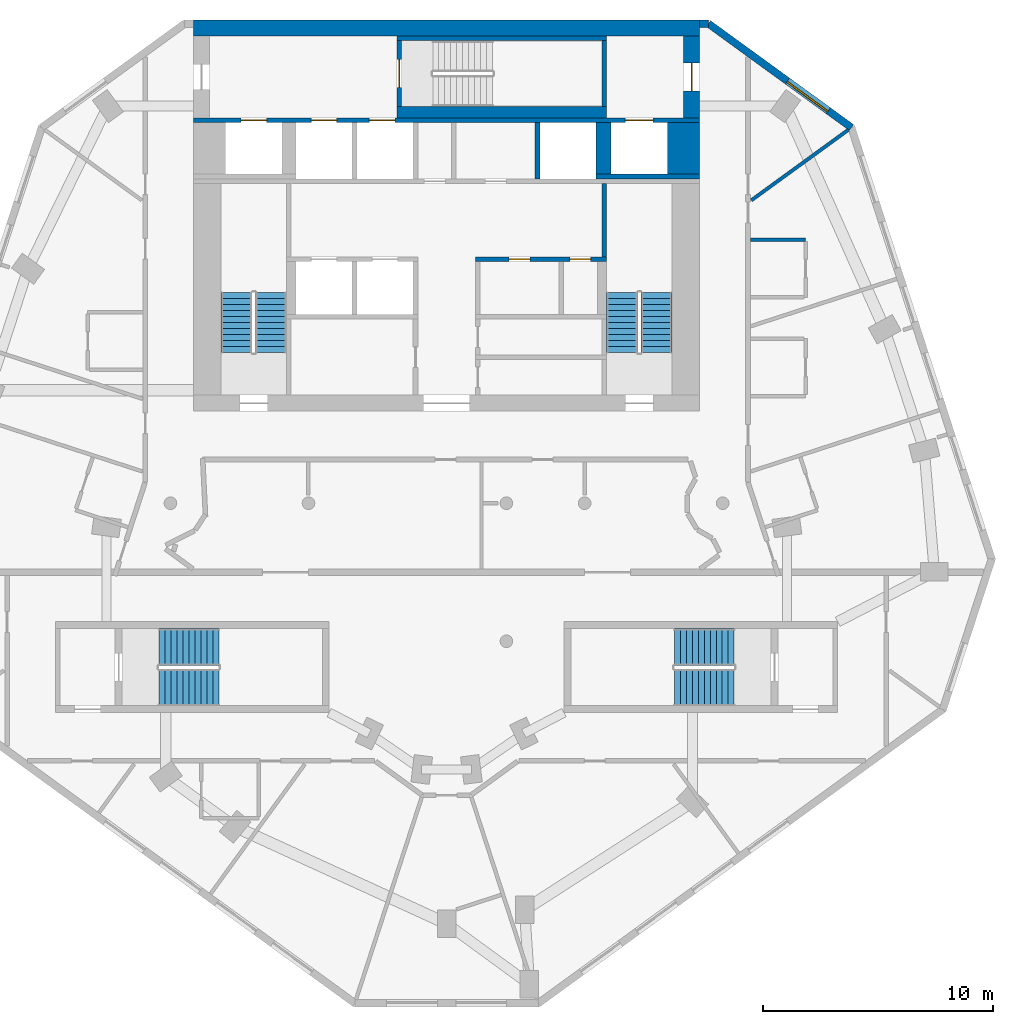
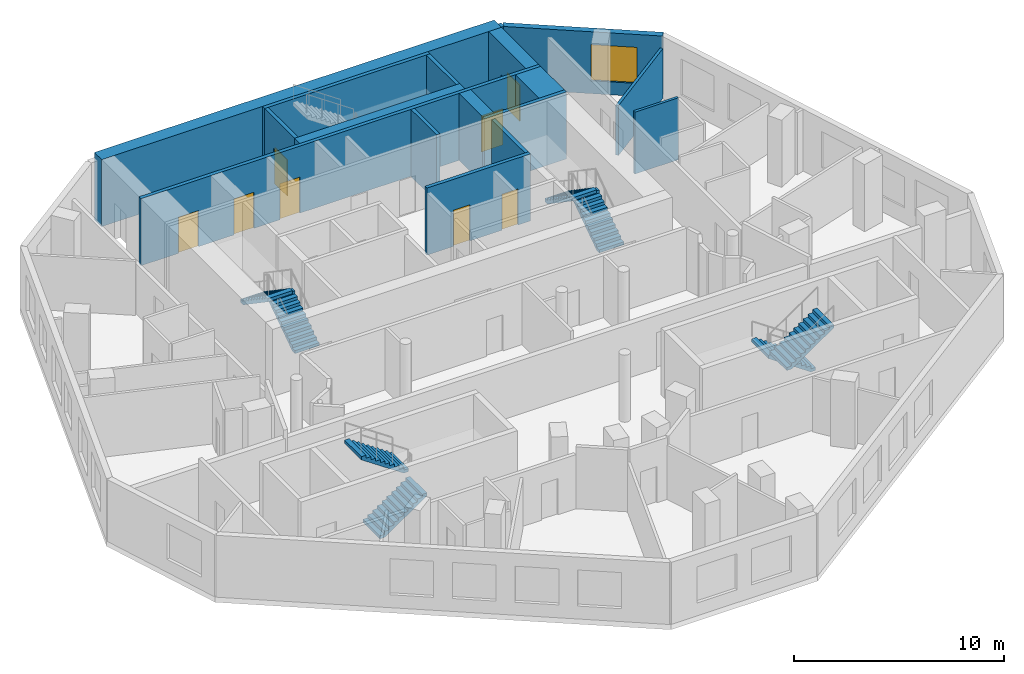
# One storey, part 6 of 9: 17 walls, 8 doors, 8 stair flights, 1 window, 9 openings, 4 elements without a shape of their own.
"""IFC4 building model written with IfcOpenShell, lengths in metres."""

from ifc_helpers import new_model, si_unit, direction, frame, frame_2d, origin, place, context, subcontext, project, spatial, polyline, rectangle, outline, extrude, material, layer, layer_set, type_object, element, fill, aggregate, save


model = new_model("IFC4")

# Units and contexts
model_context = context("Model", 3, precision=1e-05, world=origin(), true_north=direction((0.0, 1.0)))
body_context = subcontext(model_context, "Body", "Model", "MODEL_VIEW")
ifc_project = project(units=[si_unit("LENGTHUNIT", "METRE"), si_unit("AREAUNIT", "SQUARE_METRE"), si_unit("VOLUMEUNIT", "CUBIC_METRE"), si_unit("PLANEANGLEUNIT", "RADIAN"), si_unit("MASSUNIT", "GRAM", prefix="KILO")], contexts=[model_context])

# Site, building, storey
site_placement = place(None, origin())
site = spatial("IfcSite", under=ifc_project, at=site_placement, CompositionType="ELEMENT")
building_placement = place(site_placement, origin())
building = spatial("IfcBuilding", under=site, at=building_placement, Name="White Candle Pilgrim Tower", CompositionType="ELEMENT")
storey_placement = place(building_placement, frame((0.0, 0.0, 256.10009765625)))
storey = spatial("IfcBuildingStorey", under=building, at=storey_placement, Name="L60", CompositionType="ELEMENT", Elevation=256.10009765625)

# Walls
ifc_material_1 = material(Name="Concrete C50/60", Category="concrete")
ifc_layer_1 = layer(ifc_material_1, 1.39990234375)
ifc_layer_set_1 = layer_set([ifc_layer_1], Name="Core wall 1400 mm Concrete C50/60")
wall_type_1 = type_object("IfcWallType", Name="Core wall 1400 mm Concrete C50/60", PredefinedType="SHEAR", material=ifc_layer_set_1)
wall_1_placement = place(storey_placement, frame((80.300048828125, 81.300048828125, 0.0), z_axis=(0.0, 0.0, 1.0), x_axis=(0.0, 1.0, 0.0)))
element("IfcWall", 1, at=wall_1_placement, inside=storey, type_object=wall_type_1, Name="WL-L60-C43", PredefinedType="SHEAR", context=body_context, shape_type="SweptSolid", body=[
    extrude(rectangle(XDim=2.25, YDim=1.39990234375, at=frame_2d((1.125, 0.0))), origin(), (0.0, 0.0, 1.0), 3.89990234375),
])
ifc_layer_2 = layer(ifc_material_1, 0.199951171875)
ifc_layer_set_2 = layer_set([ifc_layer_2], Name="Core wall 200 mm Concrete C50/60")
wall_type_2 = type_object("IfcWallType", Name="Core wall 200 mm Concrete C50/60", PredefinedType="SHEAR", material=ifc_layer_set_2)
wall_2_placement = place(storey_placement, frame((76.5, 81.199951171875, 0.0), z_axis=(0.0, 0.0, 1.0), x_axis=(1.0, 0.0, 0.0)))
element("IfcWall", 2, at=wall_2_placement, inside=storey, type_object=wall_type_2, Name="WL-L60-C39", PredefinedType="SHEAR", context=body_context, shape_type="SweptSolid", body=[
    extrude(rectangle(XDim=4.5, YDim=0.199951171875, at=frame_2d((2.25, 0.0))), origin(), (0.0, 0.0, 1.0), 3.89990234375),
])

# Wall, openings, doors
wall_3_placement = place(storey_placement, frame((59.0, 83.64990234375, 0.0), z_axis=(0.0, 0.0, 1.0), x_axis=(1.0, 0.0, 0.0)))
wall_3 = element("IfcWall", 3, at=wall_3_placement, inside=storey, type_object=wall_type_2, Name="WL-L60-C44", PredefinedType="SHEAR", context=body_context, shape_type="SweptSolid", body=[
    extrude(rectangle(XDim=22.0, YDim=0.199951171875, at=frame_2d((11.0, 0.0))), origin(), (0.0, 0.0, 1.0), 3.89990234375),
])
opening_1_placement = place(wall_3_placement, frame((5.125, 0.0, 0.0)))
opening_1 = element("IfcOpeningElement", 4, at=opening_1_placement, cuts=wall_3, Name="Opening T18-016", PredefinedType="OPENING", context=body_context, shape_type="SweptSolid", body=[
    extrude(rectangle(XDim=1.10009765625, YDim=2.10009765625, at=frame_2d((0.550048828125, 1.050048828125))), frame((0.0, 0.10986328125, 0.0), z_axis=(0.0, -1.0, 0.0), x_axis=(1.0, 0.0, 0.0)), (0.0, 0.0, 1.0), 0.219970703125),
])
opening_2_placement = place(wall_3_placement, frame((7.64990234375, 0.0, 0.0)))
opening_2 = element("IfcOpeningElement", 5, at=opening_2_placement, cuts=wall_3, Name="Opening T18-017", PredefinedType="OPENING", context=body_context, shape_type="SweptSolid", body=[
    extrude(rectangle(XDim=1.10009765625, YDim=2.10009765625, at=frame_2d((0.550048828125, 1.050048828125))), frame((0.0, 0.10986328125, 0.0), z_axis=(0.0, -1.0, 0.0), x_axis=(1.0, 0.0, 0.0)), (0.0, 0.0, 1.0), 0.219970703125),
])
opening_3_placement = place(wall_3_placement, frame((18.77490234375, 0.0, 0.0)))
opening_3 = element("IfcOpeningElement", 6, at=opening_3_placement, cuts=wall_3, Name="Opening T18-018", PredefinedType="OPENING", context=body_context, shape_type="SweptSolid", body=[
    extrude(rectangle(XDim=1.199951171875, YDim=2.10009765625, at=frame_2d((0.60009765625, 1.050048828125))), frame((0.0, 0.10986328125, 0.0), z_axis=(0.0, -1.0, 0.0), x_axis=(1.0, 0.0, 0.0)), (0.0, 0.0, 1.0), 0.219970703125),
])
opening_4_placement = place(wall_3_placement, frame((2.074951171875, 0.0, 0.0)))
opening_4 = element("IfcOpeningElement", 7, at=opening_4_placement, cuts=wall_3, Name="Opening T18-019", PredefinedType="OPENING", context=body_context, shape_type="SweptSolid", body=[
    extrude(rectangle(XDim=1.10009765625, YDim=2.10009765625, at=frame_2d((0.550048828125, 1.050048828125))), frame((0.0, 0.10986328125, 0.0), z_axis=(0.0, -1.0, 0.0), x_axis=(1.0, 0.0, 0.0)), (0.0, 0.0, 1.0), 0.219970703125),
])
ifc_material_2 = material(Name="Stainless steel", Category="steel")
door_type_1 = type_object("IfcDoorType", Name="Lift landing door 1100 x 2100 EI 60", OperationType="DOUBLE_DOOR_SLIDING", PredefinedType="DOOR", material=ifc_material_2)
door_1_placement = place(opening_1_placement, origin())
door_1 = element("IfcDoor", 8, at=door_1_placement, inside=storey, type_object=door_type_1, Name="Door T18-016", OperationType="DOUBLE_DOOR_SLIDING", OverallHeight=2.10009765625, OverallWidth=1.10009765625, PredefinedType="DOOR", context=body_context, shape_type="SweptSolid", body=[
    extrude(rectangle(XDim=1.10009765625, YDim=2.10009765625, at=frame_2d((0.550048828125, 1.050048828125))), frame((0.0, 0.02490234375, 0.0), z_axis=(0.0, -1.0, 0.0), x_axis=(1.0, 0.0, 0.0)), (0.0, 0.0, 1.0), 0.050048828125),
])
fill(opening_1, door_1)
door_2_placement = place(opening_2_placement, origin())
door_2 = element("IfcDoor", 9, at=door_2_placement, inside=storey, type_object=door_type_1, Name="Door T18-017", OperationType="DOUBLE_DOOR_SLIDING", OverallHeight=2.10009765625, OverallWidth=1.10009765625, PredefinedType="DOOR", context=body_context, shape_type="SweptSolid", body=[
    extrude(rectangle(XDim=1.10009765625, YDim=2.10009765625, at=frame_2d((0.550048828125, 1.050048828125))), frame((0.0, 0.02490234375, 0.0), z_axis=(0.0, -1.0, 0.0), x_axis=(1.0, 0.0, 0.0)), (0.0, 0.0, 1.0), 0.050048828125),
])
fill(opening_2, door_2)
door_3_placement = place(opening_4_placement, origin())
door_3 = element("IfcDoor", 10, at=door_3_placement, inside=storey, type_object=door_type_1, Name="Door T18-019", OperationType="DOUBLE_DOOR_SLIDING", OverallHeight=2.10009765625, OverallWidth=1.10009765625, PredefinedType="DOOR", context=body_context, shape_type="SweptSolid", body=[
    extrude(rectangle(XDim=1.10009765625, YDim=2.10009765625, at=frame_2d((0.550048828125, 1.050048828125))), frame((0.0, 0.02490234375, 0.0), z_axis=(0.0, -1.0, 0.0), x_axis=(1.0, 0.0, 0.0)), (0.0, 0.0, 1.0), 0.050048828125),
])
fill(opening_4, door_3)
door_type_2 = type_object("IfcDoorType", Name="Lift landing door 1200 x 2100 E 60", OperationType="DOUBLE_DOOR_SLIDING", PredefinedType="DOOR", material=ifc_material_2)
door_4_placement = place(opening_3_placement, origin())
door_4 = element("IfcDoor", 11, at=door_4_placement, inside=storey, type_object=door_type_2, Name="Door T18-018", OperationType="DOUBLE_DOOR_SLIDING", OverallHeight=2.10009765625, OverallWidth=1.199951171875, PredefinedType="DOOR", context=body_context, shape_type="SweptSolid", body=[
    extrude(rectangle(XDim=1.199951171875, YDim=2.10009765625, at=frame_2d((0.60009765625, 1.050048828125))), frame((0.0, 0.02490234375, 0.0), z_axis=(0.0, -1.0, 0.0), x_axis=(1.0, 0.0, 0.0)), (0.0, 0.0, 1.0), 0.050048828125),
])
fill(opening_3, door_4)

# Wall, opening, door
ifc_layer_3 = layer(ifc_material_1, 0.699951171875)
ifc_layer_set_3 = layer_set([ifc_layer_3], Name="Core wall 700 mm Concrete C50/60")
wall_type_3 = type_object("IfcWallType", Name="Core wall 700 mm Concrete C50/60", PredefinedType="SHEAR", material=ifc_layer_set_3)
wall_4_placement = place(storey_placement, frame((80.64990234375, 83.75, 0.0), z_axis=(0.0, 0.0, 1.0), x_axis=(0.0, 1.0, 0.0)))
wall_4 = element("IfcWall", 12, at=wall_4_placement, inside=storey, type_object=wall_type_3, Name="WL-L60-C47", PredefinedType="SHEAR", context=body_context, shape_type="SweptSolid", body=[
    extrude(rectangle(XDim=3.550048828125, YDim=0.699951171875, at=frame_2d((1.77490234375, 0.0))), origin(), (0.0, 0.0, 1.0), 3.89990234375),
])
opening_5_placement = place(wall_4_placement, frame((1.175048828125, 0.0, 0.0)))
opening_5 = element("IfcOpeningElement", 13, at=opening_5_placement, cuts=wall_4, Name="Opening T18-009", PredefinedType="OPENING", context=body_context, shape_type="SweptSolid", body=[
    extrude(rectangle(XDim=1.199951171875, YDim=2.10009765625, at=frame_2d((0.60009765625, 1.050048828125))), frame((0.0, 0.35986328125, 0.0), z_axis=(0.0, -1.0, 0.0), x_axis=(1.0, 0.0, 0.0)), (0.0, 0.0, 1.0), 0.719970703125),
])
ifc_material_3 = material(Name="Steel door leaf", Category="steel")
door_type_3 = type_object("IfcDoorType", Name="Fire door 1200 x 2100 EI 30", OperationType="NOTDEFINED", PredefinedType="DOOR", material=ifc_material_3)
door_5_placement = place(opening_5_placement, origin())
door_5 = element("IfcDoor", 14, at=door_5_placement, inside=storey, type_object=door_type_3, Name="Door T18-009", OperationType="SINGLE_SWING_LEFT", OverallHeight=2.10009765625, OverallWidth=1.199951171875, PredefinedType="DOOR", context=body_context, shape_type="SweptSolid", body=[
    extrude(rectangle(XDim=1.199951171875, YDim=2.10009765625, at=frame_2d((0.60009765625, 1.050048828125))), frame((0.0, 0.02490234375, 0.0), z_axis=(0.0, -1.0, 0.0), x_axis=(1.0, 0.0, 0.0)), (0.0, 0.0, 1.0), 0.050048828125),
])
fill(opening_5, door_5)

# Wall
wall_5_placement = place(storey_placement, frame((59.0, 87.64990234375, 0.0), z_axis=(0.0, 0.0, 1.0), x_axis=(1.0, 0.0, 0.0)))
element("IfcWall", 15, at=wall_5_placement, inside=storey, type_object=wall_type_3, Name="WL-L60-C51", PredefinedType="SHEAR", context=body_context, shape_type="SweptSolid", body=[
    extrude(rectangle(XDim=22.0, YDim=0.699951171875, at=frame_2d((11.0, 0.0))), origin(), (0.0, 0.0, 1.0), 3.89990234375),
])

# Wall, opening, window
ifc_material_4 = material(Name="Precast concrete C40/50", Category="concrete")
ifc_layer_4 = layer(ifc_material_4, 0.320068359375)
ifc_layer_set_4 = layer_set([ifc_layer_4], Name="Facade wall EW1 precast concrete C40/50 pier wall with timber-lined reveals")
wall_type_4 = type_object("IfcWallType", Name="Facade wall EW1 precast concrete C40/50 pier wall with timber-lined reveals", PredefinedType="SOLIDWALL", material=ifc_layer_set_4)
wall_6_placement = place(storey_placement, frame((87.5966796875, 83.326904296875, 0.0), z_axis=(0.0, 0.0, 1.0), x_axis=(-0.809008247786, 0.587797290751, 0.0)))
wall_6 = element("IfcWall", 16, at=wall_6_placement, inside=storey, type_object=wall_type_4, Name="Facade wall L60 NE chamfer", PredefinedType="SOLIDWALL", context=body_context, shape_type="SweptSolid", body=[
    extrude(rectangle(XDim=7.67822265625, YDim=0.320068359375, at=frame_2d((3.839111328125, 0.0))), origin(), (0.0, 0.0, 1.0), 3.599853515625),
])
opening_6_placement = place(wall_6_placement, frame((1.239013671875, 0.0, 0.75)))
opening_6 = element("IfcOpeningElement", 17, at=opening_6_placement, cuts=wall_6, Name="Opening W4", PredefinedType="OPENING", context=body_context, shape_type="SweptSolid", body=[
    extrude(rectangle(XDim=2.199951171875, YDim=2.10009765625, at=frame_2d((1.10009765625, 1.050048828125))), frame((0.0, 0.169921875, 0.0), z_axis=(0.0, -1.0, 0.0), x_axis=(1.0, 0.0, 0.0)), (0.0, 0.0, 1.0), 0.340087890625),
])
ifc_material_5 = material(Name="Timber frame with triple glazing", Category="wood")
window_type = type_object("IfcWindowType", Name="Window W4 2200x2100 timber frame triple glazing", PartitioningType="SINGLE_PANEL", PredefinedType="WINDOW", material=ifc_material_5)
window_placement = place(opening_6_placement, origin())
window = element("IfcWindow", 18, at=window_placement, inside=storey, type_object=window_type, Name="Window W4 L60 NE chamfer 1", OverallHeight=2.10009765625, OverallWidth=2.199951171875, PartitioningType="SINGLE_PANEL", PredefinedType="WINDOW", context=body_context, shape_type="SweptSolid", body=[
    extrude(rectangle(XDim=2.199951171875, YDim=2.10009765625, at=frame_2d((1.10009765625, 1.050048828125))), frame((0.0, 0.070068359375, 0.0), z_axis=(0.0, -1.0, 0.0), x_axis=(1.0, 0.0, 0.0)), (0.0, 0.0, 1.0), 0.06005859375),
])
fill(opening_6, window)

# Walls
wall_7_placement = place(storey_placement, frame((81.385009765625, 87.840087890625, 0.0), z_axis=(0.0, 0.0, 1.0), x_axis=(-1.0, 0.0, 0.0)))
element("IfcWall", 19, at=wall_7_placement, inside=storey, type_object=wall_type_4, Name="Facade wall L60 N", PredefinedType="SOLIDWALL", context=body_context, shape_type="SweptSolid", body=[
    extrude(rectangle(XDim=0.385009765625, YDim=0.320068359375, at=frame_2d((0.1923828125, 0.0))), origin(), (0.0, 0.0, 1.0), 3.599853515625),
])
ifc_material_6 = material(Name="Gypsum board on steel studs", Category="steel")
ifc_layer_5 = layer(ifc_material_6, 0.14990234375)
ifc_layer_set_5 = layer_set([ifc_layer_5], Name="Partition 150 mm EI 60")
wall_type_5 = type_object("IfcWallType", Name="Partition 150 mm EI 60", PredefinedType="PARTITIONING", material=ifc_layer_set_5)
wall_8_placement = place(storey_placement, frame((87.460693359375, 83.22802734375, 0.0), z_axis=(0.0, 0.0, 1.0), x_axis=(-0.809019578294, -0.587781695816, 0.0)))
element("IfcWall", 20, at=wall_8_placement, inside=storey, type_object=wall_type_5, Name="WL-L60-P030", PredefinedType="PARTITIONING", context=body_context, shape_type="SweptSolid", body=[
    extrude(rectangle(XDim=5.2119140625, YDim=0.14990234375, at=frame_2d((2.60595703125, 0.0))), origin(), (0.0, 0.0, 1.0), 2.89990234375),
])
wall_9_placement = place(storey_placement, frame((83.199951171875, 78.451171875, 0.0), z_axis=(0.0, 0.0, 1.0), x_axis=(1.0, 0.0, 0.0)))
element("IfcWall", 21, at=wall_9_placement, inside=storey, type_object=wall_type_5, Name="WL-L60-P051", PredefinedType="PARTITIONING", context=body_context, shape_type="SweptSolid", body=[
    extrude(rectangle(XDim=2.400146484375, YDim=0.14990234375, at=frame_2d((1.2001953125, 0.0))), origin(), (0.0, 0.0, 1.0), 3.599853515625),
])
ifc_layer_6 = layer(ifc_material_1, 0.199951171875)
ifc_layer_set_6 = layer_set([ifc_layer_6], Name="Shaft wall 200 mm Concrete C50/60")
wall_type_6 = type_object("IfcWallType", Name="Shaft wall 200 mm Concrete C50/60", PredefinedType="SHEAR", material=ifc_layer_set_6)
wall_10_placement = place(storey_placement, frame((73.949951171875, 81.10009765625, 0.0), z_axis=(0.0, 0.0, 1.0), x_axis=(0.0, 1.0, 0.0)))
element("IfcWall", 22, at=wall_10_placement, inside=storey, type_object=wall_type_6, Name="WL-L60-C38", PredefinedType="SHEAR", context=body_context, shape_type="SweptSolid", body=[
    extrude(rectangle(XDim=2.449951171875, YDim=0.199951171875, at=frame_2d((1.22509765625, 0.0))), origin(), (0.0, 0.0, 1.0), 3.89990234375),
])
ifc_layer_7 = layer(ifc_material_1, 0.64990234375)
ifc_layer_set_7 = layer_set([ifc_layer_7], Name="Shaft wall 650 mm Concrete C50/60")
wall_type_7 = type_object("IfcWallType", Name="Shaft wall 650 mm Concrete C50/60", PredefinedType="SHEAR", material=ifc_layer_set_7)
wall_11_placement = place(storey_placement, frame((76.824951171875, 81.300048828125, 0.0), z_axis=(0.0, 0.0, 1.0), x_axis=(0.0, 1.0, 0.0)))
element("IfcWall", 23, at=wall_11_placement, inside=storey, type_object=wall_type_7, Name="WL-L60-C42", PredefinedType="SHEAR", context=body_context, shape_type="SweptSolid", body=[
    extrude(rectangle(XDim=2.25, YDim=0.64990234375, at=frame_2d((1.125, 0.0))), origin(), (0.0, 0.0, 1.0), 3.89990234375),
])

# Wall, openings, doors
ifc_layer_8 = layer(ifc_material_1, 0.199951171875)
ifc_layer_set_8 = layer_set([ifc_layer_8], Name="Stair shaft wall 200 mm Concrete C50/60")
wall_type_8 = type_object("IfcWallType", Name="Stair shaft wall 200 mm Concrete C50/60", PredefinedType="SHEAR", material=ifc_layer_set_8)
wall_12_placement = place(storey_placement, frame((71.25, 77.60009765625, 0.0), z_axis=(0.0, 0.0, 1.0), x_axis=(1.0, 0.0, 0.0)))
wall_12 = element("IfcWall", 24, at=wall_12_placement, inside=storey, type_object=wall_type_8, Name="WL-L60-C30", PredefinedType="SHEAR", context=body_context, shape_type="SweptSolid", body=[
    extrude(rectangle(XDim=5.699951171875, YDim=0.199951171875, at=frame_2d((2.85009765625, 0.0))), origin(), (0.0, 0.0, 1.0), 3.89990234375),
])
opening_7_placement = place(wall_12_placement, frame((1.465087890625, 0.0, 0.0)))
opening_7 = element("IfcOpeningElement", 25, at=opening_7_placement, cuts=wall_12, Name="Opening T18-020", PredefinedType="OPENING", context=body_context, shape_type="SweptSolid", body=[
    extrude(rectangle(XDim=0.89990234375, YDim=2.10009765625, at=frame_2d((0.449951171875, 1.050048828125))), frame((0.0, 0.10986328125, 0.0), z_axis=(0.0, -1.0, 0.0), x_axis=(1.0, 0.0, 0.0)), (0.0, 0.0, 1.0), 0.219970703125),
])
opening_8_placement = place(wall_12_placement, frame((4.114990234375, 0.0, 0.0)))
opening_8 = element("IfcOpeningElement", 26, at=opening_8_placement, cuts=wall_12, Name="Opening T18-021", PredefinedType="OPENING", context=body_context, shape_type="SweptSolid", body=[
    extrude(rectangle(XDim=0.89990234375, YDim=2.10009765625, at=frame_2d((0.449951171875, 1.050048828125))), frame((0.0, 0.10986328125, 0.0), z_axis=(0.0, -1.0, 0.0), x_axis=(1.0, 0.0, 0.0)), (0.0, 0.0, 1.0), 0.219970703125),
])
door_type_4 = type_object("IfcDoorType", Name="Fire door 900 x 2100 EI 30", OperationType="NOTDEFINED", PredefinedType="DOOR", material=ifc_material_3)
door_6_placement = place(opening_7_placement, origin())
door_6 = element("IfcDoor", 27, at=door_6_placement, inside=storey, type_object=door_type_4, Name="Door T18-020", OperationType="SINGLE_SWING_RIGHT", OverallHeight=2.10009765625, OverallWidth=0.89990234375, PredefinedType="DOOR", context=body_context, shape_type="SweptSolid", body=[
    extrude(rectangle(XDim=0.89990234375, YDim=2.10009765625, at=frame_2d((0.449951171875, 1.050048828125))), frame((0.0, 0.02490234375, 0.0), z_axis=(0.0, -1.0, 0.0), x_axis=(1.0, 0.0, 0.0)), (0.0, 0.0, 1.0), 0.050048828125),
])
fill(opening_7, door_6)
door_7_placement = place(opening_8_placement, origin())
door_7 = element("IfcDoor", 28, at=door_7_placement, inside=storey, type_object=door_type_4, Name="Door T18-021", OperationType="SINGLE_SWING_LEFT", OverallHeight=2.10009765625, OverallWidth=0.89990234375, PredefinedType="DOOR", context=body_context, shape_type="SweptSolid", body=[
    extrude(rectangle(XDim=0.89990234375, YDim=2.10009765625, at=frame_2d((0.449951171875, 1.050048828125))), frame((0.0, 0.02490234375, 0.0), z_axis=(0.0, -1.0, 0.0), x_axis=(1.0, 0.0, 0.0)), (0.0, 0.0, 1.0), 0.050048828125),
])
fill(opening_8, door_7)

# Wall
wall_13_placement = place(storey_placement, frame((76.85009765625, 77.699951171875, 0.0), z_axis=(0.0, 0.0, 1.0), x_axis=(0.0, 1.0, 0.0)))
element("IfcWall", 29, at=wall_13_placement, inside=storey, type_object=wall_type_8, Name="WL-L60-C32", PredefinedType="SHEAR", context=body_context, shape_type="SweptSolid", body=[
    extrude(rectangle(XDim=3.199951171875, YDim=0.199951171875, at=frame_2d((1.60009765625, 0.0))), origin(), (0.0, 0.0, 1.0), 3.89990234375),
])

# Wall, opening, door
wall_14_placement = place(storey_placement, frame((67.949951171875, 84.25, 0.0), z_axis=(0.0, 0.0, 1.0), x_axis=(0.0, 1.0, 0.0)))
wall_14 = element("IfcWall", 30, at=wall_14_placement, inside=storey, type_object=wall_type_8, Name="WL-L60-C48", PredefinedType="SHEAR", context=body_context, shape_type="SweptSolid", body=[
    extrude(rectangle(XDim=2.85009765625, YDim=0.199951171875, at=frame_2d((1.425048828125, 0.0))), origin(), (0.0, 0.0, 1.0), 3.89990234375),
])
opening_9_placement = place(wall_14_placement, frame((0.824951171875, 0.0, 0.0)))
opening_9 = element("IfcOpeningElement", 31, at=opening_9_placement, cuts=wall_14, Name="Opening T18-003", PredefinedType="OPENING", context=body_context, shape_type="SweptSolid", body=[
    extrude(rectangle(XDim=1.199951171875, YDim=2.10009765625, at=frame_2d((0.60009765625, 1.050048828125))), frame((0.0, 0.10986328125, 0.0), z_axis=(0.0, -1.0, 0.0), x_axis=(1.0, 0.0, 0.0)), (0.0, 0.0, 1.0), 0.219970703125),
])
door_type_5 = type_object("IfcDoorType", Name="Fire door 1200 x 2100 EI 60", OperationType="NOTDEFINED", PredefinedType="DOOR", material=ifc_material_3)
door_8_placement = place(opening_9_placement, frame((1.199951171875, 0.0, 0.0), z_axis=(0.0, 0.0, 1.0), x_axis=(-1.0, 0.0, 0.0)))
door_8 = element("IfcDoor", 32, at=door_8_placement, inside=storey, type_object=door_type_5, Name="Door T18-003", OperationType="SINGLE_SWING_RIGHT", OverallHeight=2.10009765625, OverallWidth=1.199951171875, PredefinedType="DOOR", context=body_context, shape_type="SweptSolid", body=[
    extrude(rectangle(XDim=1.199951171875, YDim=2.10009765625, at=frame_2d((0.60009765625, 1.050048828125))), frame((0.0, 0.02490234375, 0.0), z_axis=(0.0, -1.0, 0.0), x_axis=(1.0, 0.0, 0.0)), (0.0, 0.0, 1.0), 0.050048828125),
])
fill(opening_9, door_8)

# Walls
wall_15_placement = place(storey_placement, frame((76.85009765625, 84.25, 0.0), z_axis=(0.0, 0.0, 1.0), x_axis=(0.0, 1.0, 0.0)))
element("IfcWall", 33, at=wall_15_placement, inside=storey, type_object=wall_type_8, Name="WL-L60-C49", PredefinedType="SHEAR", context=body_context, shape_type="SweptSolid", body=[
    extrude(rectangle(XDim=2.85009765625, YDim=0.199951171875, at=frame_2d((1.425048828125, 0.0))), origin(), (0.0, 0.0, 1.0), 3.89990234375),
])
wall_16_placement = place(storey_placement, frame((67.85009765625, 87.199951171875, 0.0), z_axis=(0.0, 0.0, 1.0), x_axis=(1.0, 0.0, 0.0)))
element("IfcWall", 34, at=wall_16_placement, inside=storey, type_object=wall_type_8, Name="WL-L60-C50", PredefinedType="SHEAR", context=body_context, shape_type="SweptSolid", body=[
    extrude(rectangle(XDim=9.099853515625, YDim=0.199951171875, at=frame_2d((4.5498046875, 0.0))), origin(), (0.0, 0.0, 1.0), 3.89990234375),
])
ifc_layer_9 = layer(ifc_material_1, 0.5)
ifc_layer_set_9 = layer_set([ifc_layer_9], Name="Stair shaft wall 500 mm Concrete C50/60")
wall_type_9 = type_object("IfcWallType", Name="Stair shaft wall 500 mm Concrete C50/60", PredefinedType="SHEAR", material=ifc_layer_set_9)
wall_17_placement = place(storey_placement, frame((67.85009765625, 84.0, 0.0), z_axis=(0.0, 0.0, 1.0), x_axis=(1.0, 0.0, 0.0)))
element("IfcWall", 35, at=wall_17_placement, inside=storey, type_object=wall_type_9, Name="WL-L60-C46", PredefinedType="SHEAR", context=body_context, shape_type="SweptSolid", body=[
    extrude(rectangle(XDim=9.099853515625, YDim=0.5, at=frame_2d((4.5498046875, 0.0))), origin(), (0.0, 0.0, 1.0), 3.89990234375),
])

# Stair, stair flights
ifc_material_7 = material(Name="Concrete C40/50", Category="concrete")
stair_type_1 = type_object("IfcStairType", Name="Exit stair 1 flight width 1350 mm", PredefinedType="HALF_TURN_STAIR", material=ifc_material_7)
stair_1_placement = place(storey_placement, origin())
stair_1 = element("IfcStair", 36, at=stair_1_placement, inside=storey, type_object=stair_type_1, Name="L60 stair 1", PredefinedType="NOTDEFINED")
ifc_layer_10 = layer(ifc_material_7, 0.14990234375)
ifc_layer_set_10 = layer_set([ifc_layer_10], Name="Stair flight Concrete C40/50")
stair_flight_type = type_object("IfcStairFlightType", Name="Stair flight Concrete C40/50", PredefinedType="STRAIGHT", material=ifc_layer_set_10)
stair_flight_1_placement = place(storey_placement, frame((62.375, 73.550048828125, 0.0), z_axis=(0.0, 0.0, 1.0), x_axis=(0.0, 1.0, 0.0)))
stair_flight_1 = element("IfcStairFlight", 37, at=stair_flight_1_placement, type_object=stair_flight_type, Name="ST1 flight 1", NumberOfRisers=11, NumberOfTreads=10, PredefinedType="NOTDEFINED", RiserHeight=0.177272727, TreadLength=0.26, context=body_context, shape_type="SweptSolid", body=[
    extrude(outline(polyline([(0.0, 0.0), (0.0, 0.17724609375), (0.260009765625, 0.17724609375), (0.260009765625, 0.3544921875), (0.52001953125, 0.3544921875), (0.52001953125, 0.53173828125), (0.780029296875, 0.53173828125), (0.780029296875, 0.708984375), (1.0400390625, 0.708984375), (1.0400390625, 0.886474609375), (1.300048828125, 0.886474609375), (1.300048828125, 1.063720703125), (1.56005859375, 1.063720703125), (1.56005859375, 1.240966796875), (1.820068359375, 1.240966796875), (1.820068359375, 1.418212890625), (2.080078125, 1.418212890625), (2.080078125, 1.595458984375), (2.340087890625, 1.595458984375), (2.340087890625, 1.772705078125), (2.60009765625, 1.772705078125), (2.60009765625, 1.949951171875), (2.60009765625, 1.59130859375), (0.26611328125, 0.0), (0.0, 0.0)])), frame((0.0, 0.675048828125, 0.0), z_axis=(0.0, -1.0, 0.0), x_axis=(1.0, 0.0, 0.0)), (0.0, 0.0, 1.0), 1.35009765625),
])
stair_flight_2_placement = place(storey_placement, frame((60.875, 76.14990234375, 1.949951171875), z_axis=(0.0, 0.0, 1.0), x_axis=(0.0, -1.0, 0.0)))
stair_flight_2 = element("IfcStairFlight", 38, at=stair_flight_2_placement, type_object=stair_flight_type, Name="ST1 flight 2", NumberOfRisers=11, NumberOfTreads=10, PredefinedType="NOTDEFINED", RiserHeight=0.177272727, TreadLength=0.26, context=body_context, shape_type="SweptSolid", body=[
    extrude(outline(polyline([(0.0, 0.0), (0.0, 0.17724609375), (0.260009765625, 0.17724609375), (0.260009765625, 0.3544921875), (0.52001953125, 0.3544921875), (0.52001953125, 0.53173828125), (0.780029296875, 0.53173828125), (0.780029296875, 0.708984375), (1.0400390625, 0.708984375), (1.0400390625, 0.886474609375), (1.300048828125, 0.886474609375), (1.300048828125, 1.063720703125), (1.56005859375, 1.063720703125), (1.56005859375, 1.240966796875), (1.820068359375, 1.240966796875), (1.820068359375, 1.418212890625), (2.080078125, 1.418212890625), (2.080078125, 1.595458984375), (2.340087890625, 1.595458984375), (2.340087890625, 1.772705078125), (2.60009765625, 1.772705078125), (2.60009765625, 1.949951171875), (2.60009765625, 1.59130859375), (0.26611328125, 0.0), (0.0, 0.0)])), frame((0.0, 0.675048828125, 0.0), z_axis=(0.0, -1.0, 0.0), x_axis=(1.0, 0.0, 0.0)), (0.0, 0.0, 1.0), 1.35009765625),
])
aggregate(stair_1, [stair_flight_1, stair_flight_2])

stair_type_2 = type_object("IfcStairType", Name="Exit stair 2 flight width 1350 mm", PredefinedType="HALF_TURN_STAIR", material=ifc_material_7)
stair_2_placement = place(storey_placement, origin())
stair_2 = element("IfcStair", 39, at=stair_2_placement, inside=storey, type_object=stair_type_2, Name="L60 stair 2", PredefinedType="NOTDEFINED")
stair_flight_3_placement = place(storey_placement, frame((79.125, 73.550048828125, 0.0), z_axis=(0.0, 0.0, 1.0), x_axis=(0.0, 1.0, 0.0)))
stair_flight_3 = element("IfcStairFlight", 40, at=stair_flight_3_placement, type_object=stair_flight_type, Name="ST2 flight 1", NumberOfRisers=11, NumberOfTreads=10, PredefinedType="NOTDEFINED", RiserHeight=0.177272727, TreadLength=0.26, context=body_context, shape_type="SweptSolid", body=[
    extrude(outline(polyline([(0.0, 0.0), (0.0, 0.17724609375), (0.260009765625, 0.17724609375), (0.260009765625, 0.3544921875), (0.52001953125, 0.3544921875), (0.52001953125, 0.53173828125), (0.780029296875, 0.53173828125), (0.780029296875, 0.708984375), (1.0400390625, 0.708984375), (1.0400390625, 0.886474609375), (1.300048828125, 0.886474609375), (1.300048828125, 1.063720703125), (1.56005859375, 1.063720703125), (1.56005859375, 1.240966796875), (1.820068359375, 1.240966796875), (1.820068359375, 1.418212890625), (2.080078125, 1.418212890625), (2.080078125, 1.595458984375), (2.340087890625, 1.595458984375), (2.340087890625, 1.772705078125), (2.60009765625, 1.772705078125), (2.60009765625, 1.949951171875), (2.60009765625, 1.59130859375), (0.26611328125, 0.0), (0.0, 0.0)])), frame((0.0, 0.675048828125, 0.0), z_axis=(0.0, -1.0, 0.0), x_axis=(1.0, 0.0, 0.0)), (0.0, 0.0, 1.0), 1.35009765625),
])
stair_flight_4_placement = place(storey_placement, frame((77.625, 76.14990234375, 1.949951171875), z_axis=(0.0, 0.0, 1.0), x_axis=(0.0, -1.0, 0.0)))
stair_flight_4 = element("IfcStairFlight", 41, at=stair_flight_4_placement, type_object=stair_flight_type, Name="ST2 flight 2", NumberOfRisers=11, NumberOfTreads=10, PredefinedType="NOTDEFINED", RiserHeight=0.177272727, TreadLength=0.26, context=body_context, shape_type="SweptSolid", body=[
    extrude(outline(polyline([(0.0, 0.0), (0.0, 0.17724609375), (0.260009765625, 0.17724609375), (0.260009765625, 0.3544921875), (0.52001953125, 0.3544921875), (0.52001953125, 0.53173828125), (0.780029296875, 0.53173828125), (0.780029296875, 0.708984375), (1.0400390625, 0.708984375), (1.0400390625, 0.886474609375), (1.300048828125, 0.886474609375), (1.300048828125, 1.063720703125), (1.56005859375, 1.063720703125), (1.56005859375, 1.240966796875), (1.820068359375, 1.240966796875), (1.820068359375, 1.418212890625), (2.080078125, 1.418212890625), (2.080078125, 1.595458984375), (2.340087890625, 1.595458984375), (2.340087890625, 1.772705078125), (2.60009765625, 1.772705078125), (2.60009765625, 1.949951171875), (2.60009765625, 1.59130859375), (0.26611328125, 0.0), (0.0, 0.0)])), frame((0.0, 0.675048828125, 0.0), z_axis=(0.0, -1.0, 0.0), x_axis=(1.0, 0.0, 0.0)), (0.0, 0.0, 1.0), 1.35009765625),
])
aggregate(stair_2, [stair_flight_3, stair_flight_4])

stair_type_3 = type_object("IfcStairType", Name="Exit stair 4 flight width 1600 mm", PredefinedType="HALF_TURN_STAIR", material=ifc_material_7)
stair_3_placement = place(storey_placement, origin())
stair_3 = element("IfcStair", 42, at=stair_3_placement, inside=storey, type_object=stair_type_3, Name="L60 stair 4", PredefinedType="NOTDEFINED")
stair_flight_5_placement = place(storey_placement, frame((82.5, 60.75, 0.0), z_axis=(0.0, 0.0, 1.0), x_axis=(-1.0, 0.0, 0.0)))
stair_flight_5 = element("IfcStairFlight", 43, at=stair_flight_5_placement, type_object=stair_flight_type, Name="ST4 flight 1", NumberOfRisers=11, NumberOfTreads=10, PredefinedType="NOTDEFINED", RiserHeight=0.177272727, TreadLength=0.26, context=body_context, shape_type="SweptSolid", body=[
    extrude(outline(polyline([(0.0, 0.0), (0.0, 0.17724609375), (0.260009765625, 0.17724609375), (0.260009765625, 0.3544921875), (0.52001953125, 0.3544921875), (0.52001953125, 0.53173828125), (0.780029296875, 0.53173828125), (0.780029296875, 0.708984375), (1.0400390625, 0.708984375), (1.0400390625, 0.886474609375), (1.300048828125, 0.886474609375), (1.300048828125, 1.063720703125), (1.56005859375, 1.063720703125), (1.56005859375, 1.240966796875), (1.820068359375, 1.240966796875), (1.820068359375, 1.418212890625), (2.080078125, 1.418212890625), (2.080078125, 1.595458984375), (2.340087890625, 1.595458984375), (2.340087890625, 1.772705078125), (2.60009765625, 1.772705078125), (2.60009765625, 1.949951171875), (2.60009765625, 1.59130859375), (0.26611328125, 0.0), (0.0, 0.0)])), frame((0.0, 0.800048828125, 0.0), z_axis=(0.0, -1.0, 0.0), x_axis=(1.0, 0.0, 0.0)), (0.0, 0.0, 1.0), 1.60009765625),
])
stair_flight_6_placement = place(storey_placement, frame((79.89990234375, 59.0, 1.949951171875), z_axis=(0.0, 0.0, 1.0), x_axis=(1.0, 0.0, 0.0)))
stair_flight_6 = element("IfcStairFlight", 44, at=stair_flight_6_placement, type_object=stair_flight_type, Name="ST4 flight 2", NumberOfRisers=11, NumberOfTreads=10, PredefinedType="NOTDEFINED", RiserHeight=0.177272727, TreadLength=0.26, context=body_context, shape_type="SweptSolid", body=[
    extrude(outline(polyline([(0.0, 0.0), (0.0, 0.17724609375), (0.260009765625, 0.17724609375), (0.260009765625, 0.3544921875), (0.52001953125, 0.3544921875), (0.52001953125, 0.53173828125), (0.780029296875, 0.53173828125), (0.780029296875, 0.708984375), (1.0400390625, 0.708984375), (1.0400390625, 0.886474609375), (1.300048828125, 0.886474609375), (1.300048828125, 1.063720703125), (1.56005859375, 1.063720703125), (1.56005859375, 1.240966796875), (1.820068359375, 1.240966796875), (1.820068359375, 1.418212890625), (2.080078125, 1.418212890625), (2.080078125, 1.595458984375), (2.340087890625, 1.595458984375), (2.340087890625, 1.772705078125), (2.60009765625, 1.772705078125), (2.60009765625, 1.949951171875), (2.60009765625, 1.59130859375), (0.26611328125, 0.0), (0.0, 0.0)])), frame((0.0, 0.800048828125, 0.0), z_axis=(0.0, -1.0, 0.0), x_axis=(1.0, 0.0, 0.0)), (0.0, 0.0, 1.0), 1.60009765625),
])
aggregate(stair_3, [stair_flight_5, stair_flight_6])

stair_type_4 = type_object("IfcStairType", Name="Exit stair 5 flight width 1600 mm", PredefinedType="HALF_TURN_STAIR", material=ifc_material_7)
stair_4_placement = place(storey_placement, origin())
stair_4 = element("IfcStair", 45, at=stair_4_placement, inside=storey, type_object=stair_type_4, Name="L60 stair 5", PredefinedType="NOTDEFINED")
stair_flight_7_placement = place(storey_placement, frame((57.5, 59.0, 0.0), z_axis=(0.0, 0.0, 1.0), x_axis=(1.0, 0.0, 0.0)))
stair_flight_7 = element("IfcStairFlight", 46, at=stair_flight_7_placement, type_object=stair_flight_type, Name="ST5 flight 1", NumberOfRisers=11, NumberOfTreads=10, PredefinedType="NOTDEFINED", RiserHeight=0.177272727, TreadLength=0.26, context=body_context, shape_type="SweptSolid", body=[
    extrude(outline(polyline([(0.0, 0.0), (0.0, 0.17724609375), (0.260009765625, 0.17724609375), (0.260009765625, 0.3544921875), (0.52001953125, 0.3544921875), (0.52001953125, 0.53173828125), (0.780029296875, 0.53173828125), (0.780029296875, 0.708984375), (1.0400390625, 0.708984375), (1.0400390625, 0.886474609375), (1.300048828125, 0.886474609375), (1.300048828125, 1.063720703125), (1.56005859375, 1.063720703125), (1.56005859375, 1.240966796875), (1.820068359375, 1.240966796875), (1.820068359375, 1.418212890625), (2.080078125, 1.418212890625), (2.080078125, 1.595458984375), (2.340087890625, 1.595458984375), (2.340087890625, 1.772705078125), (2.60009765625, 1.772705078125), (2.60009765625, 1.949951171875), (2.60009765625, 1.59130859375), (0.26611328125, 0.0), (0.0, 0.0)])), frame((0.0, 0.800048828125, 0.0), z_axis=(0.0, -1.0, 0.0), x_axis=(1.0, 0.0, 0.0)), (0.0, 0.0, 1.0), 1.60009765625),
])
stair_flight_8_placement = place(storey_placement, frame((60.10009765625, 60.75, 1.949951171875), z_axis=(0.0, 0.0, 1.0), x_axis=(-1.0, 0.0, 0.0)))
stair_flight_8 = element("IfcStairFlight", 47, at=stair_flight_8_placement, type_object=stair_flight_type, Name="ST5 flight 2", NumberOfRisers=11, NumberOfTreads=10, PredefinedType="NOTDEFINED", RiserHeight=0.177272727, TreadLength=0.26, context=body_context, shape_type="SweptSolid", body=[
    extrude(outline(polyline([(0.0, 0.0), (0.0, 0.17724609375), (0.260009765625, 0.17724609375), (0.260009765625, 0.3544921875), (0.52001953125, 0.3544921875), (0.52001953125, 0.53173828125), (0.780029296875, 0.53173828125), (0.780029296875, 0.708984375), (1.0400390625, 0.708984375), (1.0400390625, 0.886474609375), (1.300048828125, 0.886474609375), (1.300048828125, 1.063720703125), (1.56005859375, 1.063720703125), (1.56005859375, 1.240966796875), (1.820068359375, 1.240966796875), (1.820068359375, 1.418212890625), (2.080078125, 1.418212890625), (2.080078125, 1.595458984375), (2.340087890625, 1.595458984375), (2.340087890625, 1.772705078125), (2.60009765625, 1.772705078125), (2.60009765625, 1.949951171875), (2.60009765625, 1.59130859375), (0.26611328125, 0.0), (0.0, 0.0)])), frame((0.0, 0.800048828125, 0.0), z_axis=(0.0, -1.0, 0.0), x_axis=(1.0, 0.0, 0.0)), (0.0, 0.0, 1.0), 1.60009765625),
])
aggregate(stair_4, [stair_flight_7, stair_flight_8])

save(model, "model.ifc")
